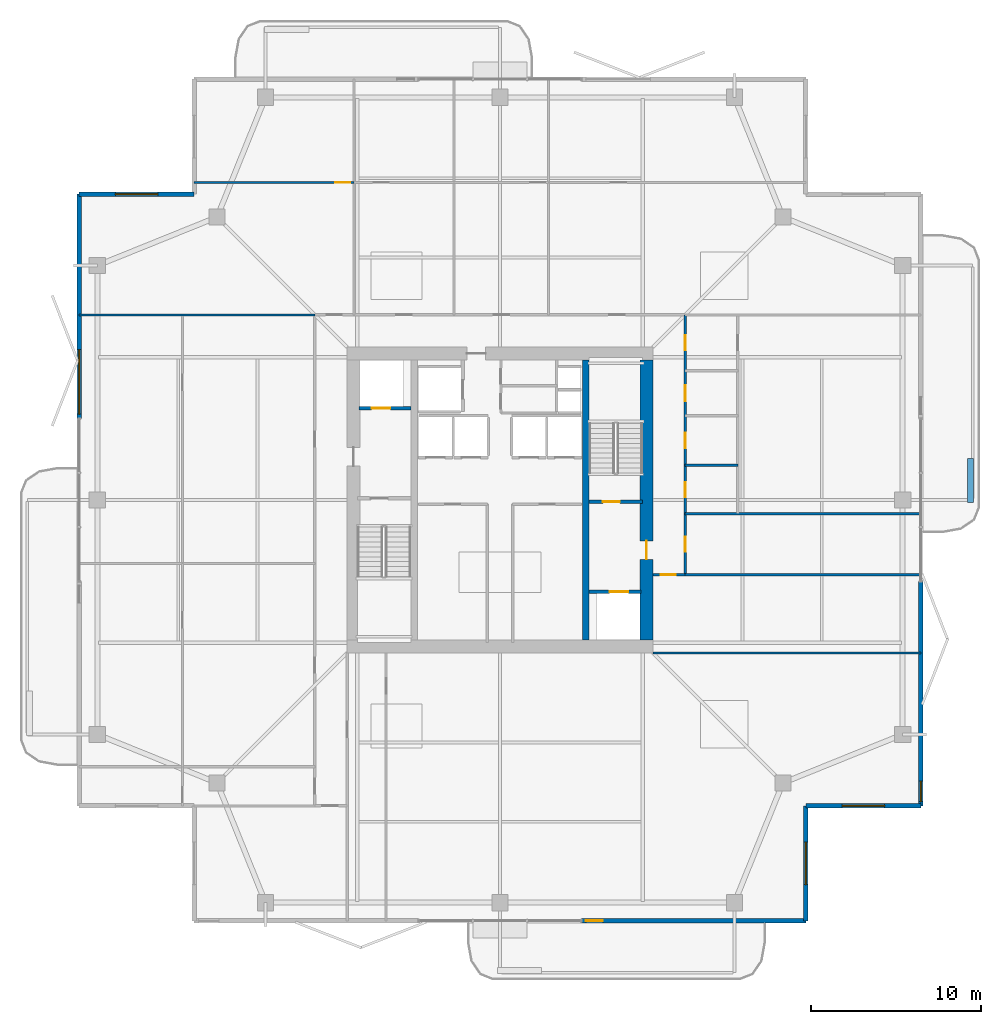
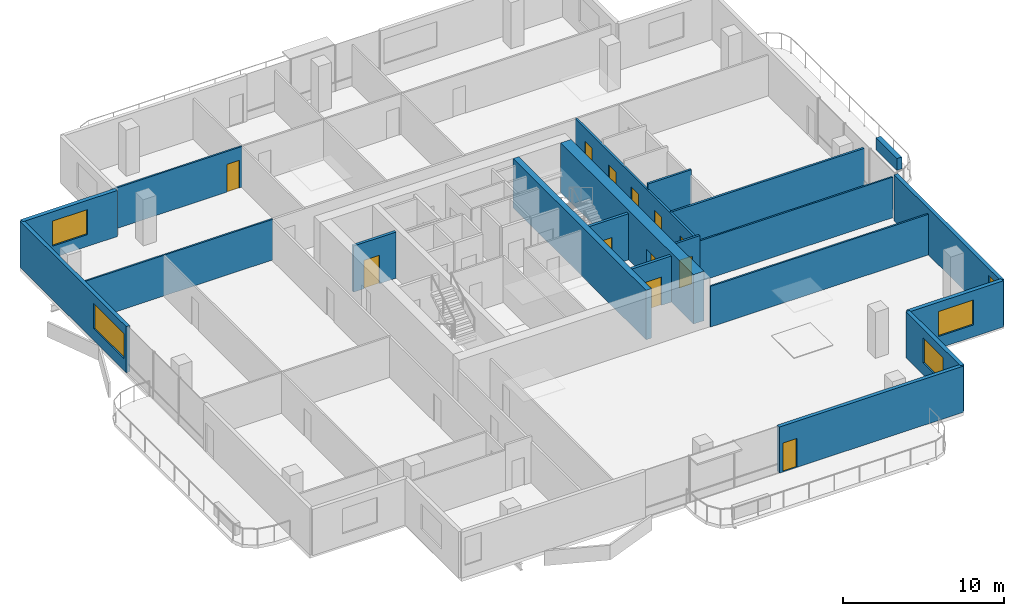
# One storey, part 19 of 25: 20 walls, 12 doors, 5 windows, 17 openings.
"""IFC4 building model written with IfcOpenShell, lengths in metres."""

from ifc_helpers import new_model, si_unit, direction, frame, frame_2d, origin, place, context, subcontext, project, spatial, rectangle, extrude, material, layer, layer_set, type_object, element, fill, save


model = new_model("IFC4")

# Units and contexts
model_context = context("Model", 3, precision=1e-05, world=origin(), true_north=direction((0.0, 1.0)))
body_context = subcontext(model_context, "Body", "Model", "MODEL_VIEW")
ifc_project = project(units=[si_unit("LENGTHUNIT", "METRE"), si_unit("AREAUNIT", "SQUARE_METRE"), si_unit("VOLUMEUNIT", "CUBIC_METRE"), si_unit("PLANEANGLEUNIT", "RADIAN"), si_unit("MASSUNIT", "GRAM", prefix="KILO")], contexts=[model_context])

# Site, building, storey
site_placement = place(None, origin())
site = spatial("IfcSite", under=ifc_project, at=site_placement, CompositionType="ELEMENT")
building_placement = place(site_placement, origin())
building = spatial("IfcBuilding", under=site, at=building_placement, Name="Belovzor Exchange Tower", CompositionType="ELEMENT")
storey_placement = place(building_placement, frame((0.0, 0.0, 269.10009765625)))
storey = spatial("IfcBuildingStorey", under=building, at=storey_placement, Name="L67", CompositionType="ELEMENT", Elevation=269.10009765625)

# Wall, opening, door
ifc_material_1 = material(Name="Acoustic Plasterboard on Galvanised Studs", Category="gypsum")
ifc_layer_1 = layer(ifc_material_1, 0.1201171875)
ifc_layer_set_1 = layer_set([ifc_layer_1], Name="Acoustic Plasterboard on Galvanised Studs")
wall_type_1 = type_object("IfcWallType", Name="Acoustic Double-Stud Partition Wall 120", PredefinedType="PARTITIONING", material=ifc_layer_set_1)
wall_1_placement = place(storey_placement, frame((10.800048828125, 47.485107421875, 0.0), z_axis=(0.0, 0.0, 1.0), x_axis=(1.0, 0.0, 0.0)))
wall_1 = element("IfcWall", 1, at=wall_1_placement, inside=storey, type_object=wall_type_1, Name="W-P120 Partition Wall W-L67-NHDIV-0", PredefinedType="PARTITIONING", context=body_context, shape_type="SweptSolid", body=[
    extrude(rectangle(XDim=9.39990234375, YDim=0.1201171875, at=frame_2d((4.699951171875, 0.0))), origin(), (0.0, 0.0, 1.0), 3.0849609375),
])
opening_1_placement = place(wall_1_placement, frame((8.300048828125, 0.0, 0.0)))
opening_1 = element("IfcOpeningElement", 2, at=opening_1_placement, cuts=wall_1, Name="Opening D-INT-090", PredefinedType="OPENING", context=body_context, shape_type="SweptSolid", body=[
    extrude(rectangle(XDim=0.89990234375, YDim=2.10009765625, at=frame_2d((0.449951171875, 1.050048828125))), frame((0.0, 0.070068359375, 0.0), z_axis=(0.0, -1.0, 0.0), x_axis=(1.0, 0.0, 0.0)), (0.0, 0.0, 1.0), 0.14013671875),
])
ifc_material_2 = material(Name="Veneered Hardwood Acoustic Leaf", Category="wood")
door_type_1 = type_object("IfcDoorType", Name="Trading Suite Acoustic Single Door 900x2100", OperationType="NOTDEFINED", PredefinedType="DOOR", material=ifc_material_2)
door_1_placement = place(opening_1_placement, origin())
door_1 = element("IfcDoor", 3, at=door_1_placement, inside=storey, type_object=door_type_1, Name="D-INT-090 Trading Suite Acoustic Single Door 900x2100", OperationType="SINGLE_SWING_RIGHT", OverallHeight=2.10009765625, OverallWidth=0.89990234375, PredefinedType="DOOR", context=body_context, shape_type="SweptSolid", body=[
    extrude(rectangle(XDim=0.89990234375, YDim=2.10009765625, at=frame_2d((0.449951171875, 1.050048828125))), frame((0.0, 0.02490234375, 0.0), z_axis=(0.0, -1.0, 0.0), x_axis=(1.0, 0.0, 0.0)), (0.0, 0.0, 1.0), 0.050048828125),
])
fill(opening_1, door_1)

# Walls
wall_2_placement = place(storey_placement, frame((37.800048828125, 19.800048828125, 0.0), z_axis=(0.0, 0.0, 1.0), x_axis=(1.0, 0.0, 0.0)))
element("IfcWall", 4, at=wall_2_placement, inside=storey, type_object=wall_type_1, Name="W-P120 Partition Wall W-L67-ESS", PredefinedType="PARTITIONING", context=body_context, shape_type="SweptSolid", body=[
    extrude(rectangle(XDim=15.77001953125, YDim=0.1201171875, at=frame_2d((7.885009765625, 0.0))), origin(), (0.0, 0.0, 1.0), 3.0849609375),
])
wall_3_placement = place(storey_placement, frame((39.699951171875, 24.39990234375, 0.0), z_axis=(0.0, 0.0, 1.0), x_axis=(1.0, 0.0, 0.0)))
element("IfcWall", 5, at=wall_3_placement, inside=storey, type_object=wall_type_1, Name="W-P120 Partition Wall W-L67-ESN", PredefinedType="PARTITIONING", context=body_context, shape_type="SweptSolid", body=[
    extrude(rectangle(XDim=13.8701171875, YDim=0.1201171875, at=frame_2d((6.93505859375, 0.0))), origin(), (0.0, 0.0, 1.0), 3.0849609375),
])
wall_4_placement = place(storey_placement, frame((4.030029296875, 39.699951171875, 0.0), z_axis=(0.0, 0.0, 1.0), x_axis=(1.0, 0.0, 0.0)))
element("IfcWall", 6, at=wall_4_placement, inside=storey, type_object=wall_type_1, Name="W-P120 Partition Wall W-L67-END-NW", PredefinedType="PARTITIONING", context=body_context, shape_type="SweptSolid", body=[
    extrude(rectangle(XDim=13.869873046875, YDim=0.1201171875, at=frame_2d((6.93505859375, 0.0))), origin(), (0.0, 0.0, 1.0), 3.0849609375),
])

# Wall, opening, door
ifc_material_3 = material(Name="Fire-Rated Gypsum Block and Mineral Wool", Category="gypsum")
ifc_layer_2 = layer(ifc_material_3, 0.14990234375)
ifc_layer_set_2 = layer_set([ifc_layer_2], Name="Fire-Rated Gypsum Block and Mineral Wool")
wall_type_2 = type_object("IfcWallType", Name="Fire-Rated Gypsum Block Corridor Wall 150", PredefinedType="PARTITIONING", material=ifc_layer_set_2)
wall_5_placement = place(storey_placement, frame((37.800048828125, 24.39990234375, 0.0), z_axis=(0.0, 0.0, 1.0), x_axis=(1.0, 0.0, 0.0)))
wall_5 = element("IfcWall", 7, at=wall_5_placement, inside=storey, type_object=wall_type_2, Name="W-P150 Partition Wall W-L67-CE-END", PredefinedType="PARTITIONING", context=body_context, shape_type="SweptSolid", body=[
    extrude(rectangle(XDim=1.89990234375, YDim=0.14990234375, at=frame_2d((0.949951171875, 0.0))), origin(), (0.0, 0.0, 1.0), 3.5),
])
opening_2_placement = place(wall_5_placement, frame((0.449951171875, 0.0, 0.0)))
opening_2 = element("IfcOpeningElement", 8, at=opening_2_placement, cuts=wall_5, Name="Opening D-FD60-090", PredefinedType="OPENING", context=body_context, shape_type="SweptSolid", body=[
    extrude(rectangle(XDim=0.89990234375, YDim=2.10009765625, at=frame_2d((0.449951171875, 1.050048828125))), frame((0.0, 0.0849609375, 0.0), z_axis=(0.0, -1.0, 0.0), x_axis=(1.0, 0.0, 0.0)), (0.0, 0.0, 1.0), 0.169921875),
])
ifc_material_4 = material(Name="Acoustic Timber Fire Leaf", Category="wood")
door_type_2 = type_object("IfcDoorType", Name="Core Service & Restroom Fire Door 900x2100", OperationType="NOTDEFINED", PredefinedType="DOOR", material=ifc_material_4)
door_2_placement = place(opening_2_placement, origin())
door_2 = element("IfcDoor", 9, at=door_2_placement, inside=storey, type_object=door_type_2, Name="D-FD60-090 Core Service & Restroom Fire Door 900x2100", OperationType="SINGLE_SWING_LEFT", OverallHeight=2.10009765625, OverallWidth=0.89990234375, PredefinedType="DOOR", context=body_context, shape_type="SweptSolid", body=[
    extrude(rectangle(XDim=0.89990234375, YDim=2.10009765625, at=frame_2d((0.449951171875, 1.050048828125))), frame((0.0, 0.02490234375, 0.0), z_axis=(0.0, -1.0, 0.0), x_axis=(1.0, 0.0, 0.0)), (0.0, 0.0, 1.0), 0.050048828125),
])
fill(opening_2, door_2)

# Walls
wall_6_placement = place(storey_placement, frame((39.699951171875, 28.0, 0.0), z_axis=(0.0, 0.0, 1.0), x_axis=(1.0, 0.0, 0.0)))
element("IfcWall", 10, at=wall_6_placement, inside=storey, type_object=wall_type_2, Name="W-P150 Partition Wall W-L67-EWC-S", PredefinedType="PARTITIONING", context=body_context, shape_type="SweptSolid", body=[
    extrude(rectangle(XDim=13.8701171875, YDim=0.14990234375, at=frame_2d((6.93505859375, 0.0))), origin(), (0.0, 0.0, 1.0), 3.0849609375),
])
wall_7_placement = place(storey_placement, frame((39.699951171875, 30.85009765625, 0.0), z_axis=(0.0, 0.0, 1.0), x_axis=(1.0, 0.0, 0.0)))
element("IfcWall", 11, at=wall_7_placement, inside=storey, type_object=wall_type_2, Name="W-P150 Partition Wall W-L67-EWC-D1", PredefinedType="PARTITIONING", context=body_context, shape_type="SweptSolid", body=[
    extrude(rectangle(XDim=3.10009765625, YDim=0.14990234375, at=frame_2d((1.550048828125, 0.0))), origin(), (0.0, 0.0, 1.0), 3.5),
])

# Wall, openings, doors
wall_8_placement = place(storey_placement, frame((39.699951171875, 24.39990234375, 0.0), z_axis=(0.0, 0.0, 1.0), x_axis=(0.0, 1.0, 0.0)))
wall_8 = element("IfcWall", 12, at=wall_8_placement, inside=storey, type_object=wall_type_2, Name="W-P150 Partition Wall W-L67-CE", PredefinedType="PARTITIONING", context=body_context, shape_type="SweptSolid", body=[
    extrude(rectangle(XDim=15.300048828125, YDim=0.14990234375, at=frame_2d((7.64990234375, 0.0))), origin(), (0.0, 0.0, 1.0), 3.0849609375),
])
opening_3_placement = place(wall_8_placement, frame((1.35009765625, 0.0, 0.0)))
opening_3 = element("IfcOpeningElement", 13, at=opening_3_placement, cuts=wall_8, Name="Opening D-INT-090", PredefinedType="OPENING", context=body_context, shape_type="SweptSolid", body=[
    extrude(rectangle(XDim=0.89990234375, YDim=2.10009765625, at=frame_2d((0.449951171875, 1.050048828125))), frame((0.0, 0.0849609375, 0.0), z_axis=(0.0, -1.0, 0.0), x_axis=(1.0, 0.0, 0.0)), (0.0, 0.0, 1.0), 0.169921875),
])
opening_4_placement = place(wall_8_placement, frame((4.550048828125, 0.0, 0.0)))
opening_4 = element("IfcOpeningElement", 14, at=opening_4_placement, cuts=wall_8, Name="Opening D-FD60-090", PredefinedType="OPENING", context=body_context, shape_type="SweptSolid", body=[
    extrude(rectangle(XDim=0.89990234375, YDim=2.10009765625, at=frame_2d((0.449951171875, 1.050048828125))), frame((0.0, 0.0849609375, 0.0), z_axis=(0.0, -1.0, 0.0), x_axis=(1.0, 0.0, 0.0)), (0.0, 0.0, 1.0), 0.169921875),
])
opening_5_placement = place(wall_8_placement, frame((7.449951171875, 0.0, 0.0)))
opening_5 = element("IfcOpeningElement", 15, at=opening_5_placement, cuts=wall_8, Name="Opening D-FD60-090", PredefinedType="OPENING", context=body_context, shape_type="SweptSolid", body=[
    extrude(rectangle(XDim=0.89990234375, YDim=2.10009765625, at=frame_2d((0.449951171875, 1.050048828125))), frame((0.0, 0.0849609375, 0.0), z_axis=(0.0, -1.0, 0.0), x_axis=(1.0, 0.0, 0.0)), (0.0, 0.0, 1.0), 0.169921875),
])
opening_6_placement = place(wall_8_placement, frame((10.199951171875, 0.0, 0.0)))
opening_6 = element("IfcOpeningElement", 16, at=opening_6_placement, cuts=wall_8, Name="Opening D-FD60-095", PredefinedType="OPENING", context=body_context, shape_type="SweptSolid", body=[
    extrude(rectangle(XDim=0.949951171875, YDim=2.10009765625, at=frame_2d((0.47509765625, 1.050048828125))), frame((0.0, 0.0849609375, 0.0), z_axis=(0.0, -1.0, 0.0), x_axis=(1.0, 0.0, 0.0)), (0.0, 0.0, 1.0), 0.169921875),
])
opening_7_placement = place(wall_8_placement, frame((13.199951171875, 0.0, 0.0)))
opening_7 = element("IfcOpeningElement", 17, at=opening_7_placement, cuts=wall_8, Name="Opening D-FD60-090", PredefinedType="OPENING", context=body_context, shape_type="SweptSolid", body=[
    extrude(rectangle(XDim=0.89990234375, YDim=2.10009765625, at=frame_2d((0.449951171875, 1.050048828125))), frame((0.0, 0.0849609375, 0.0), z_axis=(0.0, -1.0, 0.0), x_axis=(1.0, 0.0, 0.0)), (0.0, 0.0, 1.0), 0.169921875),
])
ifc_material_5 = material(Name="Moisture-Resistant Timber Fire Leaf", Category="wood")
door_type_3 = type_object("IfcDoorType", Name="Accessible Restroom Wide Fire Door 950x2100", OperationType="NOTDEFINED", PredefinedType="DOOR", material=ifc_material_5)
door_3_placement = place(opening_6_placement, origin())
door_3 = element("IfcDoor", 18, at=door_3_placement, inside=storey, type_object=door_type_3, Name="D-FD60-095 Accessible Restroom Wide Fire Door 950x2100", OperationType="SINGLE_SWING_LEFT", OverallHeight=2.10009765625, OverallWidth=0.949951171875, PredefinedType="DOOR", context=body_context, shape_type="SweptSolid", body=[
    extrude(rectangle(XDim=0.949951171875, YDim=2.10009765625, at=frame_2d((0.47509765625, 1.050048828125))), frame((0.0, 0.02490234375, 0.0), z_axis=(0.0, -1.0, 0.0), x_axis=(1.0, 0.0, 0.0)), (0.0, 0.0, 1.0), 0.050048828125),
])
fill(opening_6, door_3)
door_4_placement = place(opening_4_placement, origin())
door_4 = element("IfcDoor", 19, at=door_4_placement, inside=storey, type_object=door_type_2, Name="D-FD60-090 Core Service & Restroom Fire Door 900x2100", OperationType="SINGLE_SWING_LEFT", OverallHeight=2.10009765625, OverallWidth=0.89990234375, PredefinedType="DOOR", context=body_context, shape_type="SweptSolid", body=[
    extrude(rectangle(XDim=0.89990234375, YDim=2.10009765625, at=frame_2d((0.449951171875, 1.050048828125))), frame((0.0, 0.02490234375, 0.0), z_axis=(0.0, -1.0, 0.0), x_axis=(1.0, 0.0, 0.0)), (0.0, 0.0, 1.0), 0.050048828125),
])
fill(opening_4, door_4)
door_5_placement = place(opening_5_placement, origin())
door_5 = element("IfcDoor", 20, at=door_5_placement, inside=storey, type_object=door_type_2, Name="D-FD60-090 Core Service & Restroom Fire Door 900x2100", OperationType="SINGLE_SWING_RIGHT", OverallHeight=2.10009765625, OverallWidth=0.89990234375, PredefinedType="DOOR", context=body_context, shape_type="SweptSolid", body=[
    extrude(rectangle(XDim=0.89990234375, YDim=2.10009765625, at=frame_2d((0.449951171875, 1.050048828125))), frame((0.0, 0.02490234375, 0.0), z_axis=(0.0, -1.0, 0.0), x_axis=(1.0, 0.0, 0.0)), (0.0, 0.0, 1.0), 0.050048828125),
])
fill(opening_5, door_5)
door_6_placement = place(opening_7_placement, origin())
door_6 = element("IfcDoor", 21, at=door_6_placement, inside=storey, type_object=door_type_2, Name="D-FD60-090 Core Service & Restroom Fire Door 900x2100", OperationType="SINGLE_SWING_RIGHT", OverallHeight=2.10009765625, OverallWidth=0.89990234375, PredefinedType="DOOR", context=body_context, shape_type="SweptSolid", body=[
    extrude(rectangle(XDim=0.89990234375, YDim=2.10009765625, at=frame_2d((0.449951171875, 1.050048828125))), frame((0.0, 0.02490234375, 0.0), z_axis=(0.0, -1.0, 0.0), x_axis=(1.0, 0.0, 0.0)), (0.0, 0.0, 1.0), 0.050048828125),
])
fill(opening_7, door_6)
door_7_placement = place(opening_3_placement, origin())
door_7 = element("IfcDoor", 22, at=door_7_placement, inside=storey, type_object=door_type_1, Name="D-INT-090 Trading Suite Acoustic Single Door 900x2100", OperationType="SINGLE_SWING_RIGHT", OverallHeight=2.10009765625, OverallWidth=0.89990234375, PredefinedType="DOOR", context=body_context, shape_type="SweptSolid", body=[
    extrude(rectangle(XDim=0.89990234375, YDim=2.10009765625, at=frame_2d((0.449951171875, 1.050048828125))), frame((0.0, 0.02490234375, 0.0), z_axis=(0.0, -1.0, 0.0), x_axis=(1.0, 0.0, 0.0)), (0.0, 0.0, 1.0), 0.050048828125),
])
fill(opening_3, door_7)

# Wall, opening, window
ifc_material_6 = material(Name="Precast concrete C40/50", Category="concrete")
ifc_layer_3 = layer(ifc_material_6, 0.280029296875)
ifc_layer_set_3 = layer_set([ifc_layer_3], Name="Precast concrete C40/50")
wall_type_3 = type_object("IfcWallType", Name="Precast Concrete Notched Corner Frame Wall 280", PredefinedType="SOLIDWALL", material=ifc_layer_set_3)
wall_9_placement = place(storey_placement, frame((4.030029296875, 46.800048828125, 0.0), z_axis=(0.0, 0.0, 1.0), x_axis=(1.0, 0.0, 0.0)))
wall_9 = element("IfcWall", 23, at=wall_9_placement, inside=storey, type_object=wall_type_3, Name="W-CRN280 Precast Concrete Notched Corner Frame Wall 280 L67", PredefinedType="SOLIDWALL", context=body_context, shape_type="SweptSolid", body=[
    extrude(rectangle(XDim=6.77001953125, YDim=0.280029296875, at=frame_2d((3.385009765625, 0.0))), origin(), (0.0, 0.0, 1.0), 3.5),
])
opening_8_placement = place(wall_9_placement, frame((2.135009765625, 0.0, 0.89990234375)))
opening_8 = element("IfcOpeningElement", 24, at=opening_8_placement, cuts=wall_9, Name="Opening WN-CRN250", PredefinedType="OPENING", context=body_context, shape_type="SweptSolid", body=[
    extrude(rectangle(XDim=2.5, YDim=1.89990234375, at=frame_2d((1.25, 0.949951171875))), frame((0.0, 0.14990234375, 0.0), z_axis=(0.0, -1.0, 0.0), x_axis=(1.0, 0.0, 0.0)), (0.0, 0.0, 1.0), 0.300048828125),
])
ifc_material_7 = material(Name="Thermally Broken Aluminium and Triple Glazing", Category="aluminium")
window_type_1 = type_object("IfcWindowType", Name="Streamline Moderne Corner Wrap Ribbon Window 2500x1900", PartitioningType="SINGLE_PANEL", PredefinedType="WINDOW", material=ifc_material_7)
window_1_placement = place(opening_8_placement, origin())
window_1 = element("IfcWindow", 25, at=window_1_placement, inside=storey, type_object=window_type_1, Name="WN-CRN250 Streamline Moderne Corner Wrap Ribbon Window 2500x1900", OverallHeight=1.89990234375, OverallWidth=2.5, PartitioningType="SINGLE_PANEL", PredefinedType="WINDOW", context=body_context, shape_type="SweptSolid", body=[
    extrude(rectangle(XDim=2.5, YDim=1.89990234375, at=frame_2d((1.25, 0.949951171875))), frame((0.0, 0.030029296875, 0.0), z_axis=(0.0, -1.0, 0.0), x_axis=(1.0, 0.0, 0.0)), (0.0, 0.0, 1.0), 0.06005859375),
])
fill(opening_8, window_1)

wall_10_placement = place(storey_placement, frame((53.570068359375, 10.800048828125, 0.0), z_axis=(0.0, 0.0, 1.0), x_axis=(-1.0, 0.0, 0.0)))
wall_10 = element("IfcWall", 26, at=wall_10_placement, inside=storey, type_object=wall_type_3, Name="W-CRN280 Precast Concrete Notched Corner Frame Wall 280 L67", PredefinedType="SOLIDWALL", context=body_context, shape_type="SweptSolid", body=[
    extrude(rectangle(XDim=6.77001953125, YDim=0.280029296875, at=frame_2d((3.385009765625, 0.0))), origin(), (0.0, 0.0, 1.0), 3.5),
])
opening_9_placement = place(wall_10_placement, frame((2.135009765625, 0.0, 0.89990234375)))
opening_9 = element("IfcOpeningElement", 27, at=opening_9_placement, cuts=wall_10, Name="Opening WN-CRN250", PredefinedType="OPENING", context=body_context, shape_type="SweptSolid", body=[
    extrude(rectangle(XDim=2.5, YDim=1.89990234375, at=frame_2d((1.25, 0.949951171875))), frame((0.0, 0.14990234375, 0.0), z_axis=(0.0, -1.0, 0.0), x_axis=(1.0, 0.0, 0.0)), (0.0, 0.0, 1.0), 0.300048828125),
])
window_2_placement = place(opening_9_placement, origin())
window_2 = element("IfcWindow", 28, at=window_2_placement, inside=storey, type_object=window_type_1, Name="WN-CRN250 Streamline Moderne Corner Wrap Ribbon Window 2500x1900", OverallHeight=1.89990234375, OverallWidth=2.5, PartitioningType="SINGLE_PANEL", PredefinedType="WINDOW", context=body_context, shape_type="SweptSolid", body=[
    extrude(rectangle(XDim=2.5, YDim=1.89990234375, at=frame_2d((1.25, 0.949951171875))), frame((0.0, 0.030029296875, 0.0), z_axis=(0.0, -1.0, 0.0), x_axis=(1.0, 0.0, 0.0)), (0.0, 0.0, 1.0), 0.06005859375),
])
fill(opening_9, window_2)

wall_11_placement = place(storey_placement, frame((46.800048828125, 10.800048828125, 0.0), z_axis=(0.0, 0.0, 1.0), x_axis=(0.0, -1.0, 0.0)))
wall_11 = element("IfcWall", 29, at=wall_11_placement, inside=storey, type_object=wall_type_3, Name="W-CRN280 Precast Concrete Notched Corner Frame Wall 280 L67", PredefinedType="SOLIDWALL", context=body_context, shape_type="SweptSolid", body=[
    extrude(rectangle(XDim=6.77001953125, YDim=0.280029296875, at=frame_2d((3.385009765625, 0.0))), origin(), (0.0, 0.0, 1.0), 3.5),
])
opening_10_placement = place(wall_11_placement, frame((2.135009765625, 0.0, 0.89990234375)))
opening_10 = element("IfcOpeningElement", 30, at=opening_10_placement, cuts=wall_11, Name="Opening WN-CRN250", PredefinedType="OPENING", context=body_context, shape_type="SweptSolid", body=[
    extrude(rectangle(XDim=2.5, YDim=1.89990234375, at=frame_2d((1.25, 0.949951171875))), frame((0.0, 0.14990234375, 0.0), z_axis=(0.0, -1.0, 0.0), x_axis=(1.0, 0.0, 0.0)), (0.0, 0.0, 1.0), 0.300048828125),
])
window_3_placement = place(opening_10_placement, origin())
window_3 = element("IfcWindow", 31, at=window_3_placement, inside=storey, type_object=window_type_1, Name="WN-CRN250 Streamline Moderne Corner Wrap Ribbon Window 2500x1900", OverallHeight=1.89990234375, OverallWidth=2.5, PartitioningType="SINGLE_PANEL", PredefinedType="WINDOW", context=body_context, shape_type="SweptSolid", body=[
    extrude(rectangle(XDim=2.5, YDim=1.89990234375, at=frame_2d((1.25, 0.949951171875))), frame((0.0, 0.030029296875, 0.0), z_axis=(0.0, -1.0, 0.0), x_axis=(1.0, 0.0, 0.0)), (0.0, 0.0, 1.0), 0.06005859375),
])
fill(opening_10, window_3)

# Wall, opening, door
ifc_material_8 = material(Name="Precast concrete C40/50", Category="concrete")
ifc_layer_4 = layer(ifc_material_8, 0.260009765625)
ifc_layer_set_4 = layer_set([ifc_layer_4], Name="Precast concrete C40/50")
wall_type_4 = type_object("IfcWallType", Name="Precast Concrete Perimeter Loggia Frame Wall 260", PredefinedType="SOLIDWALL", material=ifc_layer_set_4)
wall_12_placement = place(storey_placement, frame((46.800048828125, 4.030029296875, 0.0), z_axis=(0.0, 0.0, 1.0), x_axis=(-1.0, 0.0, 0.0)))
wall_12 = element("IfcWall", 32, at=wall_12_placement, inside=storey, type_object=wall_type_4, Name="W-EXT260 Precast Concrete Perimeter Loggia Frame Wall 260 L67", PredefinedType="SOLIDWALL", context=body_context, shape_type="SweptSolid", body=[
    extrude(rectangle(XDim=13.199951171875, YDim=0.260009765625, at=frame_2d((6.60009765625, 0.0))), origin(), (0.0, 0.0, 1.0), 3.5),
])
opening_11_placement = place(wall_12_placement, frame((11.949951171875, 0.0, 0.0)))
opening_11 = element("IfcOpeningElement", 33, at=opening_11_placement, cuts=wall_12, Name="Opening D-BAL100", PredefinedType="OPENING", context=body_context, shape_type="SweptSolid", body=[
    extrude(rectangle(XDim=1.0, YDim=2.199951171875, at=frame_2d((0.5, 1.10009765625))), frame((0.0, 0.139892578125, 0.0), z_axis=(0.0, -1.0, 0.0), x_axis=(1.0, 0.0, 0.0)), (0.0, 0.0, 1.0), 0.280029296875),
])
ifc_material_9 = material(Name="Thermally Broken Anodised Aluminium and Laminated Glass", Category="aluminium")
door_type_4 = type_object("IfcDoorType", Name="Planted Loggia Terrace Glazed Door 1000x2200", OperationType="SINGLE_SWING_LEFT", PredefinedType="DOOR", material=ifc_material_9)
door_8_placement = place(opening_11_placement, origin())
door_8 = element("IfcDoor", 34, at=door_8_placement, inside=storey, type_object=door_type_4, Name="D-BAL100 Balcony Terrace Door L67 S", OperationType="SINGLE_SWING_LEFT", OverallHeight=2.199951171875, OverallWidth=1.0, PredefinedType="DOOR", context=body_context, shape_type="SweptSolid", body=[
    extrude(rectangle(XDim=1.0, YDim=2.199951171875, at=frame_2d((0.5, 1.10009765625))), frame((0.0, 0.02490234375, 0.0), z_axis=(0.0, -1.0, 0.0), x_axis=(1.0, 0.0, 0.0)), (0.0, 0.0, 1.0), 0.050048828125),
])
fill(opening_11, door_8)

# Wall, opening, window
wall_13_placement = place(storey_placement, frame((4.030029296875, 33.60009765625, 0.0), z_axis=(0.0, 0.0, 1.0), x_axis=(0.0, 1.0, 0.0)))
wall_13 = element("IfcWall", 35, at=wall_13_placement, inside=storey, type_object=wall_type_4, Name="W-EXT260 Precast Concrete Perimeter Loggia Frame Wall 260 L67", PredefinedType="SOLIDWALL", context=body_context, shape_type="SweptSolid", body=[
    extrude(rectangle(XDim=13.199951171875, YDim=0.260009765625, at=frame_2d((6.60009765625, 0.0))), origin(), (0.0, 0.0, 1.0), 3.5),
])
opening_12_placement = place(wall_13_placement, frame((0.25, 0.0, 0.89990234375)))
opening_12 = element("IfcOpeningElement", 36, at=opening_12_placement, cuts=wall_13, Name="Opening WN-RIB380", PredefinedType="OPENING", context=body_context, shape_type="SweptSolid", body=[
    extrude(rectangle(XDim=3.800048828125, YDim=1.89990234375, at=frame_2d((1.89990234375, 0.949951171875))), frame((0.0, 0.139892578125, 0.0), z_axis=(0.0, -1.0, 0.0), x_axis=(1.0, 0.0, 0.0)), (0.0, 0.0, 1.0), 0.280029296875),
])
ifc_material_10 = material(Name="Thermally Broken Aluminium and Triple Glazing", Category="aluminium")
window_type_2 = type_object("IfcWindowType", Name="Streamline Moderne Horizontal Ribbon Window 3800x1900", PartitioningType="SINGLE_PANEL", PredefinedType="WINDOW", material=ifc_material_10)
window_4_placement = place(opening_12_placement, origin())
window_4 = element("IfcWindow", 37, at=window_4_placement, inside=storey, type_object=window_type_2, Name="WN-RIB380 Streamline Moderne Horizontal Ribbon Window 3800x1900", OverallHeight=1.89990234375, OverallWidth=3.800048828125, PartitioningType="SINGLE_PANEL", PredefinedType="WINDOW", context=body_context, shape_type="SweptSolid", body=[
    extrude(rectangle(XDim=3.800048828125, YDim=1.89990234375, at=frame_2d((1.89990234375, 0.949951171875))), frame((0.0, 0.030029296875, 0.0), z_axis=(0.0, -1.0, 0.0), x_axis=(1.0, 0.0, 0.0)), (0.0, 0.0, 1.0), 0.06005859375),
])
fill(opening_12, window_4)

wall_14_placement = place(storey_placement, frame((53.570068359375, 24.0, 0.0), z_axis=(0.0, 0.0, 1.0), x_axis=(0.0, -1.0, 0.0)))
wall_14 = element("IfcWall", 38, at=wall_14_placement, inside=storey, type_object=wall_type_4, Name="W-EXT260 Precast Concrete Perimeter Loggia Frame Wall 260 L67", PredefinedType="SOLIDWALL", context=body_context, shape_type="SweptSolid", body=[
    extrude(rectangle(XDim=13.199951171875, YDim=0.260009765625, at=frame_2d((6.60009765625, 0.0))), origin(), (0.0, 0.0, 1.0), 3.5),
])
opening_13_placement = place(wall_14_placement, frame((11.75, 0.0, 0.89990234375)))
opening_13 = element("IfcOpeningElement", 39, at=opening_13_placement, cuts=wall_14, Name="Opening WN-CRN120", PredefinedType="OPENING", context=body_context, shape_type="SweptSolid", body=[
    extrude(rectangle(XDim=1.199951171875, YDim=2.10009765625, at=frame_2d((0.60009765625, 1.050048828125))), frame((0.0, 0.139892578125, 0.0), z_axis=(0.0, -1.0, 0.0), x_axis=(1.0, 0.0, 0.0)), (0.0, 0.0, 1.0), 0.280029296875),
])
ifc_material_11 = material(Name="Thermally Broken Aluminium and Triple Glazing", Category="aluminium")
window_type_3 = type_object("IfcWindowType", Name="Streamline Notched Corner Window 1200x2100", PartitioningType="SINGLE_PANEL", PredefinedType="WINDOW", material=ifc_material_11)
window_5_placement = place(opening_13_placement, origin())
window_5 = element("IfcWindow", 40, at=window_5_placement, inside=storey, type_object=window_type_3, Name="WN-CRN120 Streamline Notched Corner Window 1200x2100", OverallHeight=2.10009765625, OverallWidth=1.199951171875, PartitioningType="SINGLE_PANEL", PredefinedType="WINDOW", context=body_context, shape_type="SweptSolid", body=[
    extrude(rectangle(XDim=1.199951171875, YDim=2.10009765625, at=frame_2d((0.60009765625, 1.050048828125))), frame((0.0, 0.030029296875, 0.0), z_axis=(0.0, -1.0, 0.0), x_axis=(1.0, 0.0, 0.0)), (0.0, 0.0, 1.0), 0.06005859375),
])
fill(opening_13, window_5)

# Walls
ifc_material_12 = material(Name="Precast concrete C40/50", Category="concrete")
ifc_layer_5 = layer(ifc_material_12, 0.35009765625)
ifc_layer_set_5 = layer_set([ifc_layer_5], Name="Precast concrete C40/50")
wall_type_5 = type_object("IfcWallType", Name="Precast Concrete Structural Tree Planter Trough 350", PredefinedType="PARAPET", material=ifc_layer_set_5)
wall_15_placement = place(storey_placement, frame((56.5, 28.64990234375, 0.0), z_axis=(0.0, 0.0, 1.0), x_axis=(0.0, 1.0, 0.0)))
element("IfcWall", 41, at=wall_15_placement, inside=storey, type_object=wall_type_5, Name="PT-350 Precast Concrete Structural Tree Planter Trough 350 L67", PredefinedType="PARAPET", context=body_context, shape_type="SweptSolid", body=[
    extrude(rectangle(XDim=2.60009765625, YDim=0.35009765625, at=frame_2d((1.300048828125, 0.0))), origin(), (0.0, 0.0, 1.0), 0.89990234375),
])
ifc_material_13 = material(Name="Concrete C50/60", Category="concrete")
ifc_layer_6 = layer(ifc_material_13, 0.39990234375)
ifc_layer_set_6 = layer_set([ifc_layer_6], Name="Concrete C50/60")
wall_type_6 = type_object("IfcWallType", Name="Reinforced Concrete Core Internal Web Wall 400", PredefinedType="SHEAR", material=ifc_layer_set_6)
wall_16_placement = place(storey_placement, frame((33.85009765625, 20.550048828125, 0.0), z_axis=(0.0, 0.0, 1.0), x_axis=(0.0, 1.0, 0.0)))
element("IfcWall", 42, at=wall_16_placement, inside=storey, type_object=wall_type_6, Name="CW-W040 Core Internal Web Wall L67 ER", PredefinedType="SHEAR", context=body_context, shape_type="SweptSolid", body=[
    extrude(rectangle(XDim=16.5, YDim=0.39990234375, at=frame_2d((8.25, 0.0))), origin(), (0.0, 0.0, 1.0), 3.75),
])

# Wall, opening, door
ifc_material_14 = material(Name="Concrete C50/60", Category="concrete")
ifc_layer_7 = layer(ifc_material_14, 0.199951171875)
ifc_layer_set_7 = layer_set([ifc_layer_7], Name="Concrete C50/60")
wall_type_7 = type_object("IfcWallType", Name="Reinforced Concrete Core Shaft Shear Wall 200", PredefinedType="SHEAR", material=ifc_layer_set_7)
wall_17_placement = place(storey_placement, frame((34.050048828125, 28.699951171875, 0.0), z_axis=(0.0, 0.0, 1.0), x_axis=(1.0, 0.0, 0.0)))
wall_17 = element("IfcWall", 43, at=wall_17_placement, inside=storey, type_object=wall_type_7, Name="W-C200S Core Shaft Wall W-CORE-L67-FFLE2", PredefinedType="SHEAR", context=body_context, shape_type="SweptSolid", body=[
    extrude(rectangle(XDim=3.14990234375, YDim=0.199951171875, at=frame_2d((1.574951171875, 0.0))), origin(), (0.0, 0.0, 1.0), 3.5),
])
opening_14_placement = place(wall_17_placement, frame((0.800048828125, 0.0, 0.0)))
opening_14 = element("IfcOpeningElement", 44, at=opening_14_placement, cuts=wall_17, Name="Opening D-FD90-100", PredefinedType="OPENING", context=body_context, shape_type="SweptSolid", body=[
    extrude(rectangle(XDim=1.0, YDim=2.10009765625, at=frame_2d((0.5, 1.050048828125))), frame((0.0, 0.10986328125, 0.0), z_axis=(0.0, -1.0, 0.0), x_axis=(1.0, 0.0, 0.0)), (0.0, 0.0, 1.0), 0.219970703125),
])
ifc_material_15 = material(Name="Fire-Rated Galvanised Steel Leaf", Category="steel")
door_type_5 = type_object("IfcDoorType", Name="Protected Stairwell Single Fire Door 1000x2100", OperationType="NOTDEFINED", PredefinedType="DOOR", material=ifc_material_15)
door_9_placement = place(opening_14_placement, origin())
door_9 = element("IfcDoor", 45, at=door_9_placement, inside=storey, type_object=door_type_5, Name="D-FD90-100 Protected Stairwell Single Fire Door 1000x2100", OperationType="SINGLE_SWING_LEFT", OverallHeight=2.10009765625, OverallWidth=1.0, PredefinedType="DOOR", context=body_context, shape_type="SweptSolid", body=[
    extrude(rectangle(XDim=1.0, YDim=2.10009765625, at=frame_2d((0.5, 1.050048828125))), frame((0.0, 0.02490234375, 0.0), z_axis=(0.0, -1.0, 0.0), x_axis=(1.0, 0.0, 0.0)), (0.0, 0.0, 1.0), 0.050048828125),
])
fill(opening_14, door_9)

wall_18_placement = place(storey_placement, frame((20.5, 34.199951171875, 0.0), z_axis=(0.0, 0.0, 1.0), x_axis=(1.0, 0.0, 0.0)))
wall_18 = element("IfcWall", 46, at=wall_18_placement, inside=storey, type_object=wall_type_7, Name="W-C200S Core Shaft Wall W-SH-L67-FFL-01", PredefinedType="SHEAR", context=body_context, shape_type="SweptSolid", body=[
    extrude(rectangle(XDim=3.050048828125, YDim=0.199951171875, at=frame_2d((1.52490234375, 0.0))), origin(), (0.0, 0.0, 1.0), 3.5),
])
opening_15_placement = place(wall_18_placement, frame((0.75, 0.0, 0.0)))
opening_15 = element("IfcOpeningElement", 47, at=opening_15_placement, cuts=wall_18, Name="Opening LD-110", PredefinedType="OPENING", context=body_context, shape_type="SweptSolid", body=[
    extrude(rectangle(XDim=1.10009765625, YDim=2.14990234375, at=frame_2d((0.550048828125, 1.074951171875))), frame((0.0, 0.10986328125, 0.0), z_axis=(0.0, -1.0, 0.0), x_axis=(1.0, 0.0, 0.0)), (0.0, 0.0, 1.0), 0.219970703125),
])
ifc_material_16 = material(Name="Stainless Steel Grade 304", Category="steel")
door_type_6 = type_object("IfcDoorType", Name="Automated Stainless Steel Lift Landing Door 1100x2150", OperationType="SLIDING_TO_RIGHT", PredefinedType="DOOR", material=ifc_material_16)
door_10_placement = place(opening_15_placement, origin())
door_10 = element("IfcDoor", 48, at=door_10_placement, inside=storey, type_object=door_type_6, Name="LD-110 Automated Stainless Steel Lift Landing Door 1100x2150", OperationType="SLIDING_TO_RIGHT", OverallHeight=2.14990234375, OverallWidth=1.10009765625, PredefinedType="DOOR", context=body_context, shape_type="SweptSolid", body=[
    extrude(rectangle(XDim=1.10009765625, YDim=2.14990234375, at=frame_2d((0.550048828125, 1.074951171875))), frame((0.0, 0.02490234375, 0.0), z_axis=(0.0, -1.0, 0.0), x_axis=(1.0, 0.0, 0.0)), (0.0, 0.0, 1.0), 0.050048828125),
])
fill(opening_15, door_10)

wall_19_placement = place(storey_placement, frame((34.050048828125, 23.39990234375, 0.0), z_axis=(0.0, 0.0, 1.0), x_axis=(1.0, 0.0, 0.0)))
wall_19 = element("IfcWall", 49, at=wall_19_placement, inside=storey, type_object=wall_type_7, Name="W-C200S Core Shaft Wall W-SH-L67-FFL-02", PredefinedType="SHEAR", context=body_context, shape_type="SweptSolid", body=[
    extrude(rectangle(XDim=3.050048828125, YDim=0.199951171875, at=frame_2d((1.52490234375, 0.0))), origin(), (0.0, 0.0, 1.0), 3.5),
])
opening_16_placement = place(wall_19_placement, frame((1.199951171875, 0.0, 0.0)))
opening_16 = element("IfcOpeningElement", 50, at=opening_16_placement, cuts=wall_19, Name="Opening LD-110", PredefinedType="OPENING", context=body_context, shape_type="SweptSolid", body=[
    extrude(rectangle(XDim=1.10009765625, YDim=2.14990234375, at=frame_2d((0.550048828125, 1.074951171875))), frame((0.0, 0.10986328125, 0.0), z_axis=(0.0, -1.0, 0.0), x_axis=(1.0, 0.0, 0.0)), (0.0, 0.0, 1.0), 0.219970703125),
])
door_11_placement = place(opening_16_placement, origin())
door_11 = element("IfcDoor", 51, at=door_11_placement, inside=storey, type_object=door_type_6, Name="LD-110 Automated Stainless Steel Lift Landing Door 1100x2150", OperationType="SLIDING_TO_RIGHT", OverallHeight=2.14990234375, OverallWidth=1.10009765625, PredefinedType="DOOR", context=body_context, shape_type="SweptSolid", body=[
    extrude(rectangle(XDim=1.10009765625, YDim=2.14990234375, at=frame_2d((0.550048828125, 1.074951171875))), frame((0.0, 0.02490234375, 0.0), z_axis=(0.0, -1.0, 0.0), x_axis=(1.0, 0.0, 0.0)), (0.0, 0.0, 1.0), 0.050048828125),
])
fill(opening_16, door_11)

ifc_material_17 = material(Name="Concrete C50/60", Category="concrete")
ifc_layer_8 = layer(ifc_material_17, 0.75)
ifc_layer_set_8 = layer_set([ifc_layer_8], Name="Concrete C50/60")
wall_type_8 = type_object("IfcWallType", Name="Reinforced Concrete Core Shear Wall 750", PredefinedType="SHEAR", material=ifc_layer_set_8)
wall_20_placement = place(storey_placement, frame((37.425048828125, 20.550048828125, 0.0), z_axis=(0.0, 0.0, 1.0), x_axis=(0.0, 1.0, 0.0)))
wall_20 = element("IfcWall", 52, at=wall_20_placement, inside=storey, type_object=wall_type_8, Name="CW-S075 Core Shear Wall L67 E", PredefinedType="SHEAR", context=body_context, shape_type="SweptSolid", body=[
    extrude(rectangle(XDim=16.5, YDim=0.75, at=frame_2d((8.25, 0.0))), origin(), (0.0, 0.0, 1.0), 3.75),
])
opening_17_placement = place(wall_20_placement, frame((4.75, 0.0, 0.0)))
opening_17 = element("IfcOpeningElement", 53, at=opening_17_placement, cuts=wall_20, Name="Opening D-FD90-110", PredefinedType="OPENING", context=body_context, shape_type="SweptSolid", body=[
    extrude(rectangle(XDim=1.10009765625, YDim=2.14990234375, at=frame_2d((0.550048828125, 1.074951171875))), frame((0.0, 0.385009765625, 0.0), z_axis=(0.0, -1.0, 0.0), x_axis=(1.0, 0.0, 0.0)), (0.0, 0.0, 1.0), 0.77001953125),
])
ifc_material_18 = material(Name="Fire-Rated Galvanised Steel Leaf", Category="steel")
door_type_7 = type_object("IfcDoorType", Name="Protected Escape Vestibule Fire Door 1100x2150", OperationType="NOTDEFINED", PredefinedType="DOOR", material=ifc_material_18)
door_12_placement = place(opening_17_placement, origin())
door_12 = element("IfcDoor", 54, at=door_12_placement, inside=storey, type_object=door_type_7, Name="D-FD90-110 Protected Escape Vestibule Fire Door 1100x2150", OperationType="SINGLE_SWING_RIGHT", OverallHeight=2.14990234375, OverallWidth=1.10009765625, PredefinedType="DOOR", context=body_context, shape_type="SweptSolid", body=[
    extrude(rectangle(XDim=1.10009765625, YDim=2.14990234375, at=frame_2d((0.550048828125, 1.074951171875))), frame((0.0, 0.02490234375, 0.0), z_axis=(0.0, -1.0, 0.0), x_axis=(1.0, 0.0, 0.0)), (0.0, 0.0, 1.0), 0.050048828125),
])
fill(opening_17, door_12)

save(model, "model.ifc")
